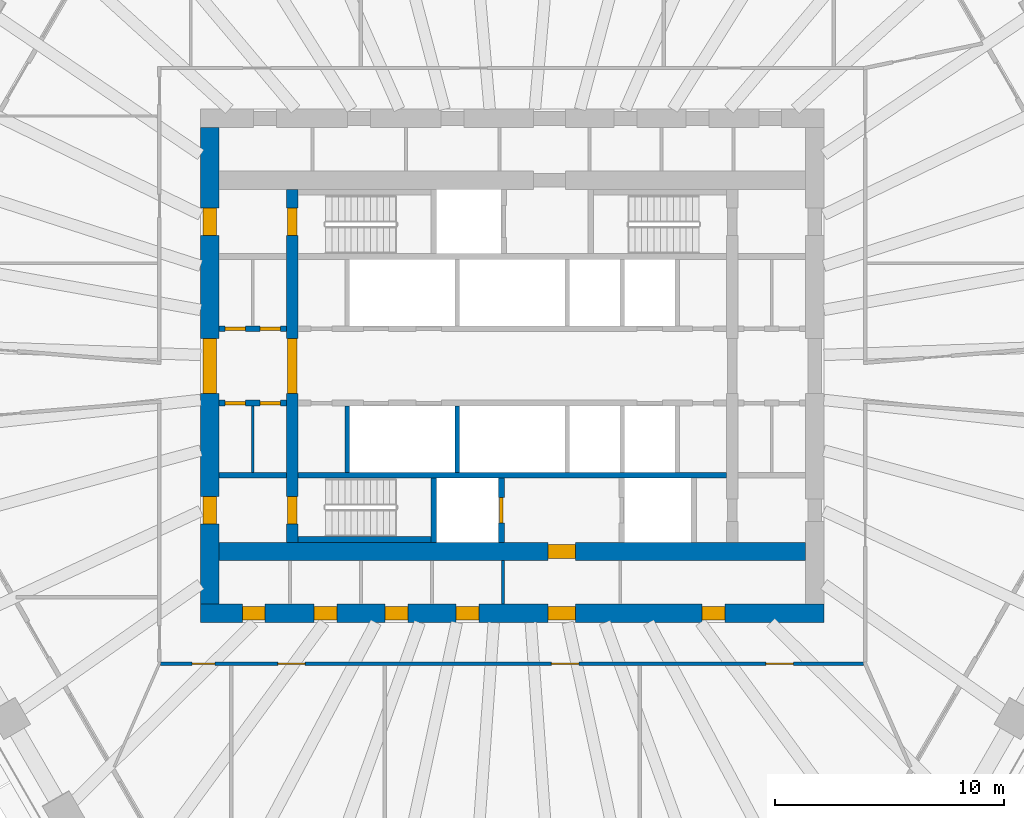
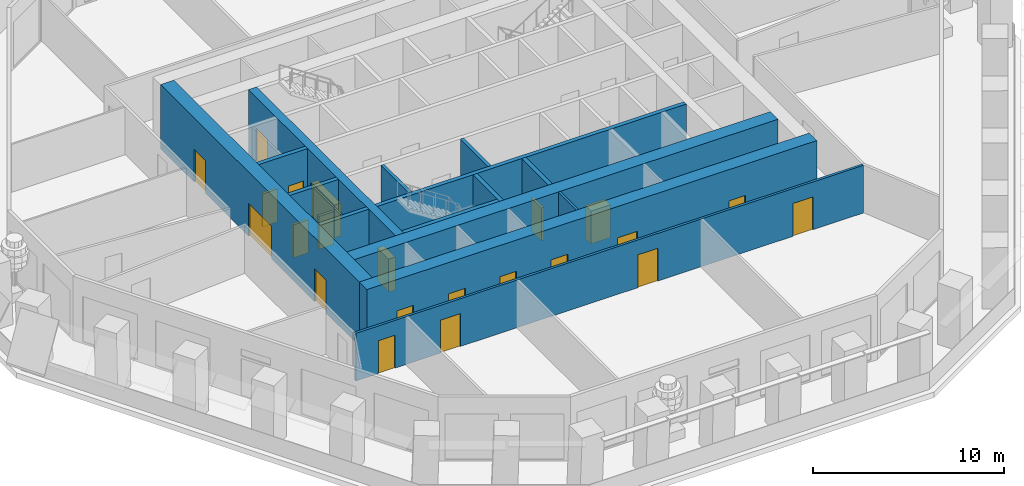
# One storey, part 4 of 13: 22 doors, 16 walls, 22 openings.
"""IFC4 building model written with IfcOpenShell, lengths in metres."""

from ifc_helpers import new_model, si_unit, direction, frame, frame_2d, origin, place, context, subcontext, project, spatial, rectangle, extrude, material, layer, layer_set, type_object, element, fill, save


model = new_model("IFC4")

# Units and contexts
model_context = context("Model", 3, precision=1e-05, world=origin(), true_north=direction((0.0, 1.0)))
body_context = subcontext(model_context, "Body", "Model", "MODEL_VIEW")
ifc_project = project(units=[si_unit("LENGTHUNIT", "METRE"), si_unit("AREAUNIT", "SQUARE_METRE"), si_unit("VOLUMEUNIT", "CUBIC_METRE"), si_unit("PLANEANGLEUNIT", "RADIAN"), si_unit("MASSUNIT", "GRAM", prefix="KILO")], contexts=[model_context])

# Site, building, storey
site_placement = place(None, origin())
site = spatial("IfcSite", under=ifc_project, at=site_placement, CompositionType="ELEMENT")
building_placement = place(site_placement, origin())
building = spatial("IfcBuilding", under=site, at=building_placement, Name="Frailejon Research Tower", CompositionType="ELEMENT")
storey_placement = place(building_placement, frame((0.0, 0.0, 113.199951171875)))
storey = spatial("IfcBuildingStorey", under=building, at=storey_placement, Name="L24", CompositionType="ELEMENT", Elevation=113.199951171875)

# Walls
ifc_material_1 = material(Name="Plasterboard on steel studs", Category="steel")
ifc_layer_1 = layer(ifc_material_1, 0.125)
ifc_layer_set_1 = layer_set([ifc_layer_1], Name="Core partition 125")
wall_type_1 = type_object("IfcWallType", Name="Core partition 125", PredefinedType="PARTITIONING", material=ifc_layer_set_1)
wall_1_placement = place(storey_placement, frame((-0.41259765625, -10.39990234375, 0.0), z_axis=(0.0, 0.0, 1.0), x_axis=(0.0, 1.0, 0.0)))
element("IfcWall", 1, at=wall_1_placement, inside=storey, type_object=wall_type_1, Name="Core partition", PredefinedType="PARTITIONING", context=body_context, shape_type="SweptSolid", body=[
    extrude(rectangle(XDim=1.89990234375, YDim=0.125, at=frame_2d((0.949951171875, 0.0))), origin(), (0.0, 0.0, 1.0), 4.10009765625),
])
wall_2_placement = place(storey_placement, frame((-11.324951171875, -4.64990234375, 0.0), z_axis=(0.0, 0.0, 1.0), x_axis=(0.0, 1.0, 0.0)))
element("IfcWall", 2, at=wall_2_placement, inside=storey, type_object=wall_type_1, Name="Core partition", PredefinedType="PARTITIONING", context=body_context, shape_type="SweptSolid", body=[
    extrude(rectangle(XDim=2.89990234375, YDim=0.125, at=frame_2d((1.449951171875, 0.0))), origin(), (0.0, 0.0, 1.0), 4.10009765625),
])

# Wall, openings, doors
ifc_material_2 = material(Name="Concrete C70/85", Category="concrete")
ifc_layer_2 = layer(ifc_material_2, 0.5)
ifc_layer_set_2 = layer_set([ifc_layer_2], Name="Core shear wall 500 C70/85")
wall_type_2 = type_object("IfcWallType", Name="Core shear wall 500 C70/85", PredefinedType="SHEAR", material=ifc_layer_set_2)
wall_3_placement = place(storey_placement, frame((-9.60009765625, -7.699951171875, 0.0), z_axis=(0.0, 0.0, 1.0), x_axis=(0.0, 1.0, 0.0)))
wall_3 = element("IfcWall", 3, at=wall_3_placement, inside=storey, type_object=wall_type_2, Name="Core shear wall", PredefinedType="SHEAR", context=body_context, shape_type="SweptSolid", body=[
    extrude(rectangle(XDim=15.39990234375, YDim=0.5, at=frame_2d((7.699951171875, 0.0))), origin(), (0.0, 0.0, 1.0), 4.10009765625),
])
opening_1_placement = place(wall_3_placement, frame((6.5, 0.0, 0.0)))
opening_1 = element("IfcOpeningElement", 4, at=opening_1_placement, cuts=wall_3, Name="Opening D2", PredefinedType="OPENING", context=body_context, shape_type="SweptSolid", body=[
    extrude(rectangle(XDim=2.39990234375, YDim=2.10009765625, at=frame_2d((1.199951171875, 1.050048828125))), frame((0.0, 0.260009765625, 0.0), z_axis=(0.0, -1.0, 0.0), x_axis=(1.0, 0.0, 0.0)), (0.0, 0.0, 1.0), 0.52001953125),
])
opening_2_placement = place(wall_3_placement, frame((13.39990234375, 0.0, 0.0)))
opening_2 = element("IfcOpeningElement", 5, at=opening_2_placement, cuts=wall_3, Name="Opening D1", PredefinedType="OPENING", context=body_context, shape_type="SweptSolid", body=[
    extrude(rectangle(XDim=1.199951171875, YDim=2.10009765625, at=frame_2d((0.60009765625, 1.050048828125))), frame((0.0, 0.260009765625, 0.0), z_axis=(0.0, -1.0, 0.0), x_axis=(1.0, 0.0, 0.0)), (0.0, 0.0, 1.0), 0.52001953125),
])
opening_3_placement = place(wall_3_placement, frame((0.800048828125, 0.0, 0.0)))
opening_3 = element("IfcOpeningElement", 6, at=opening_3_placement, cuts=wall_3, Name="Opening D1", PredefinedType="OPENING", context=body_context, shape_type="SweptSolid", body=[
    extrude(rectangle(XDim=1.199951171875, YDim=2.10009765625, at=frame_2d((0.60009765625, 1.050048828125))), frame((0.0, 0.260009765625, 0.0), z_axis=(0.0, -1.0, 0.0), x_axis=(1.0, 0.0, 0.0)), (0.0, 0.0, 1.0), 0.52001953125),
])
ifc_material_3 = material(Name="Steel", Category="steel")
door_type_1 = type_object("IfcDoorType", Name="Lobby double door", OperationType="DOUBLE_DOOR_SINGLE_SWING", PredefinedType="DOOR", material=ifc_material_3)
door_1_placement = place(opening_1_placement, origin())
door_1 = element("IfcDoor", 7, at=door_1_placement, inside=storey, type_object=door_type_1, Name="Lobby door", OperationType="DOUBLE_DOOR_SINGLE_SWING", OverallHeight=2.10009765625, OverallWidth=2.39990234375, PredefinedType="DOOR", context=body_context, shape_type="SweptSolid", body=[
    extrude(rectangle(XDim=2.39990234375, YDim=2.10009765625, at=frame_2d((1.199951171875, 1.050048828125))), frame((0.0, 0.199951171875, 0.0), z_axis=(0.0, -1.0, 0.0), x_axis=(1.0, 0.0, 0.0)), (0.0, 0.0, 1.0), 0.39990234375),
])
fill(opening_1, door_1)
ifc_material_4 = material(Name="Steel", Category="steel")
door_type_2 = type_object("IfcDoorType", Name="Stair door", OperationType="SINGLE_SWING_LEFT", PredefinedType="DOOR", material=ifc_material_4)
door_2_placement = place(opening_2_placement, origin())
door_2 = element("IfcDoor", 8, at=door_2_placement, inside=storey, type_object=door_type_2, Name="Stair door ST1", OperationType="SINGLE_SWING_RIGHT", OverallHeight=2.10009765625, OverallWidth=1.199951171875, PredefinedType="DOOR", context=body_context, shape_type="SweptSolid", body=[
    extrude(rectangle(XDim=1.199951171875, YDim=2.10009765625, at=frame_2d((0.60009765625, 1.050048828125))), frame((0.0, 0.199951171875, 0.0), z_axis=(0.0, -1.0, 0.0), x_axis=(1.0, 0.0, 0.0)), (0.0, 0.0, 1.0), 0.39990234375),
])
fill(opening_2, door_2)
door_3_placement = place(opening_3_placement, origin())
door_3 = element("IfcDoor", 9, at=door_3_placement, inside=storey, type_object=door_type_2, Name="Stair door ST2", OperationType="SINGLE_SWING_RIGHT", OverallHeight=2.10009765625, OverallWidth=1.199951171875, PredefinedType="DOOR", context=body_context, shape_type="SweptSolid", body=[
    extrude(rectangle(XDim=1.199951171875, YDim=2.10009765625, at=frame_2d((0.60009765625, 1.050048828125))), frame((0.0, 0.199951171875, 0.0), z_axis=(0.0, -1.0, 0.0), x_axis=(1.0, 0.0, 0.0)), (0.0, 0.0, 1.0), 0.39990234375),
])
fill(opening_3, door_3)

ifc_material_5 = material(Name="Concrete C70/85", Category="concrete")
ifc_layer_3 = layer(ifc_material_5, 0.800048828125)
ifc_layer_set_3 = layer_set([ifc_layer_3], Name="Core shear wall 800 C70/85")
wall_type_3 = type_object("IfcWallType", Name="Core shear wall 800 C70/85", PredefinedType="SHEAR", material=ifc_layer_set_3)
wall_4_placement = place(storey_placement, frame((-13.60009765625, -10.800048828125, 0.0), z_axis=(0.0, 0.0, 1.0), x_axis=(1.0, 0.0, 0.0)))
wall_4 = element("IfcWall", 10, at=wall_4_placement, inside=storey, type_object=wall_type_3, Name="Core shear wall", PredefinedType="SHEAR", context=body_context, shape_type="SweptSolid", body=[
    extrude(rectangle(XDim=27.2001953125, YDim=0.800048828125, at=frame_2d((13.60009765625, 0.0))), origin(), (0.0, 0.0, 1.0), 4.10009765625),
])
opening_4_placement = place(wall_4_placement, frame((1.817138671875, 0.0, 0.0)))
opening_4 = element("IfcOpeningElement", 11, at=opening_4_placement, cuts=wall_4, Name="Opening D4", PredefinedType="OPENING", context=body_context, shape_type="SweptSolid", body=[
    extrude(rectangle(XDim=1.0, YDim=2.10009765625, at=frame_2d((0.5, 1.050048828125))), frame((0.0, 0.409912109375, 0.0), z_axis=(0.0, -1.0, 0.0), x_axis=(1.0, 0.0, 0.0)), (0.0, 0.0, 1.0), 0.820068359375),
])
opening_5_placement = place(wall_4_placement, frame((4.9453125, 0.0, 0.0)))
opening_5 = element("IfcOpeningElement", 12, at=opening_5_placement, cuts=wall_4, Name="Opening D4", PredefinedType="OPENING", context=body_context, shape_type="SweptSolid", body=[
    extrude(rectangle(XDim=1.0, YDim=2.10009765625, at=frame_2d((0.5, 1.050048828125))), frame((0.0, 0.409912109375, 0.0), z_axis=(0.0, -1.0, 0.0), x_axis=(1.0, 0.0, 0.0)), (0.0, 0.0, 1.0), 0.820068359375),
])
opening_6_placement = place(wall_4_placement, frame((8.042236328125, 0.0, 0.0)))
opening_6 = element("IfcOpeningElement", 13, at=opening_6_placement, cuts=wall_4, Name="Opening D4", PredefinedType="OPENING", context=body_context, shape_type="SweptSolid", body=[
    extrude(rectangle(XDim=1.0, YDim=2.10009765625, at=frame_2d((0.5, 1.050048828125))), frame((0.0, 0.409912109375, 0.0), z_axis=(0.0, -1.0, 0.0), x_axis=(1.0, 0.0, 0.0)), (0.0, 0.0, 1.0), 0.820068359375),
])
opening_7_placement = place(wall_4_placement, frame((11.13916015625, 0.0, 0.0)))
opening_7 = element("IfcOpeningElement", 14, at=opening_7_placement, cuts=wall_4, Name="Opening D4", PredefinedType="OPENING", context=body_context, shape_type="SweptSolid", body=[
    extrude(rectangle(XDim=1.0, YDim=2.10009765625, at=frame_2d((0.5, 1.050048828125))), frame((0.0, 0.409912109375, 0.0), z_axis=(0.0, -1.0, 0.0), x_axis=(1.0, 0.0, 0.0)), (0.0, 0.0, 1.0), 0.820068359375),
])
opening_8_placement = place(wall_4_placement, frame((21.887451171875, 0.0, 0.0)))
opening_8 = element("IfcOpeningElement", 15, at=opening_8_placement, cuts=wall_4, Name="Opening D4", PredefinedType="OPENING", context=body_context, shape_type="SweptSolid", body=[
    extrude(rectangle(XDim=1.0, YDim=2.10009765625, at=frame_2d((0.5, 1.050048828125))), frame((0.0, 0.409912109375, 0.0), z_axis=(0.0, -1.0, 0.0), x_axis=(1.0, 0.0, 0.0)), (0.0, 0.0, 1.0), 0.820068359375),
])
opening_9_placement = place(wall_4_placement, frame((15.14990234375, 0.0, 0.0)))
opening_9 = element("IfcOpeningElement", 16, at=opening_9_placement, cuts=wall_4, Name="Opening D3", PredefinedType="OPENING", context=body_context, shape_type="SweptSolid", body=[
    extrude(rectangle(XDim=1.199951171875, YDim=2.10009765625, at=frame_2d((0.60009765625, 1.050048828125))), frame((0.0, 0.409912109375, 0.0), z_axis=(0.0, -1.0, 0.0), x_axis=(1.0, 0.0, 0.0)), (0.0, 0.0, 1.0), 0.820068359375),
])
ifc_material_6 = material(Name="Steel", Category="steel")
door_type_3 = type_object("IfcDoorType", Name="Firefighting lobby door", OperationType="SINGLE_SWING_LEFT", PredefinedType="DOOR", material=ifc_material_6)
door_4_placement = place(opening_9_placement, origin())
door_4 = element("IfcDoor", 17, at=door_4_placement, inside=storey, type_object=door_type_3, Name="Passage door", OperationType="SINGLE_SWING_RIGHT", OverallHeight=2.10009765625, OverallWidth=1.199951171875, PredefinedType="DOOR", context=body_context, shape_type="SweptSolid", body=[
    extrude(rectangle(XDim=1.199951171875, YDim=2.10009765625, at=frame_2d((0.60009765625, 1.050048828125))), frame((0.0, 0.300048828125, 0.0), z_axis=(0.0, -1.0, 0.0), x_axis=(1.0, 0.0, 0.0)), (0.0, 0.0, 1.0), 0.60009765625),
])
fill(opening_9, door_4)
ifc_material_7 = material(Name="Steel", Category="steel")
door_type_4 = type_object("IfcDoorType", Name="Service door", OperationType="SINGLE_SWING_LEFT", PredefinedType="DOOR", material=ifc_material_7)
door_5_placement = place(opening_4_placement, origin())
door_5 = element("IfcDoor", 18, at=door_5_placement, inside=storey, type_object=door_type_4, Name="Room door", OperationType="SINGLE_SWING_LEFT", OverallHeight=2.10009765625, OverallWidth=1.0, PredefinedType="DOOR", context=body_context, shape_type="SweptSolid", body=[
    extrude(rectangle(XDim=1.0, YDim=2.10009765625, at=frame_2d((0.5, 1.050048828125))), frame((0.0, 0.300048828125, 0.0), z_axis=(0.0, -1.0, 0.0), x_axis=(1.0, 0.0, 0.0)), (0.0, 0.0, 1.0), 0.60009765625),
])
fill(opening_4, door_5)
door_6_placement = place(opening_5_placement, origin())
door_6 = element("IfcDoor", 19, at=door_6_placement, inside=storey, type_object=door_type_4, Name="Room door", OperationType="SINGLE_SWING_RIGHT", OverallHeight=2.10009765625, OverallWidth=1.0, PredefinedType="DOOR", context=body_context, shape_type="SweptSolid", body=[
    extrude(rectangle(XDim=1.0, YDim=2.10009765625, at=frame_2d((0.5, 1.050048828125))), frame((0.0, 0.300048828125, 0.0), z_axis=(0.0, -1.0, 0.0), x_axis=(1.0, 0.0, 0.0)), (0.0, 0.0, 1.0), 0.60009765625),
])
fill(opening_5, door_6)
door_7_placement = place(opening_6_placement, origin())
door_7 = element("IfcDoor", 20, at=door_7_placement, inside=storey, type_object=door_type_4, Name="Room door", OperationType="SINGLE_SWING_LEFT", OverallHeight=2.10009765625, OverallWidth=1.0, PredefinedType="DOOR", context=body_context, shape_type="SweptSolid", body=[
    extrude(rectangle(XDim=1.0, YDim=2.10009765625, at=frame_2d((0.5, 1.050048828125))), frame((0.0, 0.300048828125, 0.0), z_axis=(0.0, -1.0, 0.0), x_axis=(1.0, 0.0, 0.0)), (0.0, 0.0, 1.0), 0.60009765625),
])
fill(opening_6, door_7)
door_8_placement = place(opening_7_placement, origin())
door_8 = element("IfcDoor", 21, at=door_8_placement, inside=storey, type_object=door_type_4, Name="Room door", OperationType="SINGLE_SWING_RIGHT", OverallHeight=2.10009765625, OverallWidth=1.0, PredefinedType="DOOR", context=body_context, shape_type="SweptSolid", body=[
    extrude(rectangle(XDim=1.0, YDim=2.10009765625, at=frame_2d((0.5, 1.050048828125))), frame((0.0, 0.300048828125, 0.0), z_axis=(0.0, -1.0, 0.0), x_axis=(1.0, 0.0, 0.0)), (0.0, 0.0, 1.0), 0.60009765625),
])
fill(opening_7, door_8)
door_9_placement = place(opening_8_placement, origin())
door_9 = element("IfcDoor", 22, at=door_9_placement, inside=storey, type_object=door_type_4, Name="Room door", OperationType="SINGLE_SWING_LEFT", OverallHeight=2.10009765625, OverallWidth=1.0, PredefinedType="DOOR", context=body_context, shape_type="SweptSolid", body=[
    extrude(rectangle(XDim=1.0, YDim=2.10009765625, at=frame_2d((0.5, 1.050048828125))), frame((0.0, 0.300048828125, 0.0), z_axis=(0.0, -1.0, 0.0), x_axis=(1.0, 0.0, 0.0)), (0.0, 0.0, 1.0), 0.60009765625),
])
fill(opening_8, door_9)

wall_5_placement = place(storey_placement, frame((-13.199951171875, -10.39990234375, 0.0), z_axis=(0.0, 0.0, 1.0), x_axis=(0.0, 1.0, 0.0)))
wall_5 = element("IfcWall", 23, at=wall_5_placement, inside=storey, type_object=wall_type_3, Name="Core shear wall", PredefinedType="SHEAR", context=body_context, shape_type="SweptSolid", body=[
    extrude(rectangle(XDim=20.7998046875, YDim=0.800048828125, at=frame_2d((10.39990234375, 0.0))), origin(), (0.0, 0.0, 1.0), 4.10009765625),
])
opening_10_placement = place(wall_5_placement, frame((9.199951171875, 0.0, 0.0)))
opening_10 = element("IfcOpeningElement", 24, at=opening_10_placement, cuts=wall_5, Name="Opening D2", PredefinedType="OPENING", context=body_context, shape_type="SweptSolid", body=[
    extrude(rectangle(XDim=2.39990234375, YDim=2.10009765625, at=frame_2d((1.199951171875, 1.050048828125))), frame((0.0, 0.409912109375, 0.0), z_axis=(0.0, -1.0, 0.0), x_axis=(1.0, 0.0, 0.0)), (0.0, 0.0, 1.0), 0.820068359375),
])
opening_11_placement = place(wall_5_placement, frame((16.10009765625, 0.0, 0.0)))
opening_11 = element("IfcOpeningElement", 25, at=opening_11_placement, cuts=wall_5, Name="Opening D7", PredefinedType="OPENING", context=body_context, shape_type="SweptSolid", body=[
    extrude(rectangle(XDim=1.199951171875, YDim=2.10009765625, at=frame_2d((0.60009765625, 1.050048828125))), frame((0.0, 0.409912109375, 0.0), z_axis=(0.0, -1.0, 0.0), x_axis=(1.0, 0.0, 0.0)), (0.0, 0.0, 1.0), 0.820068359375),
])
opening_12_placement = place(wall_5_placement, frame((3.5, 0.0, 0.0)))
opening_12 = element("IfcOpeningElement", 26, at=opening_12_placement, cuts=wall_5, Name="Opening D7", PredefinedType="OPENING", context=body_context, shape_type="SweptSolid", body=[
    extrude(rectangle(XDim=1.199951171875, YDim=2.10009765625, at=frame_2d((0.60009765625, 1.050048828125))), frame((0.0, 0.409912109375, 0.0), z_axis=(0.0, -1.0, 0.0), x_axis=(1.0, 0.0, 0.0)), (0.0, 0.0, 1.0), 0.820068359375),
])
door_10_placement = place(opening_10_placement, origin())
door_10 = element("IfcDoor", 27, at=door_10_placement, inside=storey, type_object=door_type_1, Name="Lobby door", OperationType="DOUBLE_DOOR_SINGLE_SWING", OverallHeight=2.10009765625, OverallWidth=2.39990234375, PredefinedType="DOOR", context=body_context, shape_type="SweptSolid", body=[
    extrude(rectangle(XDim=2.39990234375, YDim=2.10009765625, at=frame_2d((1.199951171875, 1.050048828125))), frame((0.0, 0.300048828125, 0.0), z_axis=(0.0, -1.0, 0.0), x_axis=(1.0, 0.0, 0.0)), (0.0, 0.0, 1.0), 0.60009765625),
])
fill(opening_10, door_10)
ifc_material_8 = material(Name="Steel", Category="steel")
door_type_5 = type_object("IfcDoorType", Name="Stair exit door", OperationType="SINGLE_SWING_LEFT", PredefinedType="DOOR", material=ifc_material_8)
door_11_placement = place(opening_11_placement, origin())
door_11 = element("IfcDoor", 28, at=door_11_placement, inside=storey, type_object=door_type_5, Name="Stair exit door ST1", OperationType="SINGLE_SWING_LEFT", OverallHeight=2.10009765625, OverallWidth=1.199951171875, PredefinedType="DOOR", context=body_context, shape_type="SweptSolid", body=[
    extrude(rectangle(XDim=1.199951171875, YDim=2.10009765625, at=frame_2d((0.60009765625, 1.050048828125))), frame((0.0, 0.300048828125, 0.0), z_axis=(0.0, -1.0, 0.0), x_axis=(1.0, 0.0, 0.0)), (0.0, 0.0, 1.0), 0.60009765625),
])
fill(opening_11, door_11)
door_12_placement = place(opening_12_placement, origin())
door_12 = element("IfcDoor", 29, at=door_12_placement, inside=storey, type_object=door_type_5, Name="Stair exit door ST2", OperationType="SINGLE_SWING_LEFT", OverallHeight=2.10009765625, OverallWidth=1.199951171875, PredefinedType="DOOR", context=body_context, shape_type="SweptSolid", body=[
    extrude(rectangle(XDim=1.199951171875, YDim=2.10009765625, at=frame_2d((0.60009765625, 1.050048828125))), frame((0.0, 0.300048828125, 0.0), z_axis=(0.0, -1.0, 0.0), x_axis=(1.0, 0.0, 0.0)), (0.0, 0.0, 1.0), 0.60009765625),
])
fill(opening_12, door_12)

# Wall, opening, door
wall_6_placement = place(storey_placement, frame((-12.800048828125, -8.10009765625, 0.0), z_axis=(0.0, 0.0, 1.0), x_axis=(1.0, 0.0, 0.0)))
wall_6 = element("IfcWall", 30, at=wall_6_placement, inside=storey, type_object=wall_type_3, Name="Core shear wall", PredefinedType="SHEAR", context=body_context, shape_type="SweptSolid", body=[
    extrude(rectangle(XDim=25.60009765625, YDim=0.800048828125, at=frame_2d((12.800048828125, 0.0))), origin(), (0.0, 0.0, 1.0), 4.10009765625),
])
opening_13_placement = place(wall_6_placement, frame((14.35009765625, 0.0, 0.0)))
opening_13 = element("IfcOpeningElement", 31, at=opening_13_placement, cuts=wall_6, Name="Opening D3", PredefinedType="OPENING", context=body_context, shape_type="SweptSolid", body=[
    extrude(rectangle(XDim=1.199951171875, YDim=2.10009765625, at=frame_2d((0.60009765625, 1.050048828125))), frame((0.0, 0.409912109375, 0.0), z_axis=(0.0, -1.0, 0.0), x_axis=(1.0, 0.0, 0.0)), (0.0, 0.0, 1.0), 0.820068359375),
])
door_13_placement = place(opening_13_placement, origin())
door_13 = element("IfcDoor", 32, at=door_13_placement, inside=storey, type_object=door_type_3, Name="Firefighting lobby door", OperationType="SINGLE_SWING_RIGHT", OverallHeight=2.10009765625, OverallWidth=1.199951171875, PredefinedType="DOOR", context=body_context, shape_type="SweptSolid", body=[
    extrude(rectangle(XDim=1.199951171875, YDim=2.10009765625, at=frame_2d((0.60009765625, 1.050048828125))), frame((0.0, 0.300048828125, 0.0), z_axis=(0.0, -1.0, 0.0), x_axis=(1.0, 0.0, 0.0)), (0.0, 0.0, 1.0), 0.60009765625),
])
fill(opening_13, door_13)

# Wall, openings, doors
ifc_material_9 = material(Name="Gypsum board and masonry partition", Category="masonry")
ifc_layer_4 = layer(ifc_material_9, 0.14990234375)
ifc_layer_set_4 = layer_set([ifc_layer_4], Name="Corridor wall EI 60, gypsum on steel studs 150")
wall_type_4 = type_object("IfcWallType", Name="Corridor wall EI 60, gypsum on steel studs 150", PredefinedType="PARTITIONING", material=ifc_layer_set_4)
wall_7_placement = place(storey_placement, frame((-15.35009765625, -13.0, 0.0), z_axis=(0.0, 0.0, 1.0), x_axis=(1.0, 0.0, 0.0)))
wall_7 = element("IfcWall", 33, at=wall_7_placement, inside=storey, type_object=wall_type_4, Name="T:IW:L24:006", PredefinedType="PARTITIONING", context=body_context, shape_type="SweptSolid", body=[
    extrude(rectangle(XDim=30.675048828125, YDim=0.14990234375, at=frame_2d((15.33740234375, 0.0))), origin(), (0.0, 0.0, 1.0), 3.050048828125),
])
opening_14_placement = place(wall_7_placement, frame((1.37353515625, 0.0, 0.0)))
opening_14 = element("IfcOpeningElement", 34, at=opening_14_placement, cuts=wall_7, Name="Opening D1610", PredefinedType="OPENING", context=body_context, shape_type="SweptSolid", body=[
    extrude(rectangle(XDim=1.0, YDim=2.10009765625, at=frame_2d((0.5, 1.050048828125))), frame((0.0, 0.0849609375, 0.0), z_axis=(0.0, -1.0, 0.0), x_axis=(1.0, 0.0, 0.0)), (0.0, 0.0, 1.0), 0.169921875),
])
opening_15_placement = place(wall_7_placement, frame((5.114013671875, 0.0, 0.0)))
opening_15 = element("IfcOpeningElement", 35, at=opening_15_placement, cuts=wall_7, Name="Opening D1611", PredefinedType="OPENING", context=body_context, shape_type="SweptSolid", body=[
    extrude(rectangle(XDim=1.199951171875, YDim=2.10009765625, at=frame_2d((0.60009765625, 1.050048828125))), frame((0.0, 0.0849609375, 0.0), z_axis=(0.0, -1.0, 0.0), x_axis=(1.0, 0.0, 0.0)), (0.0, 0.0, 1.0), 0.169921875),
])
opening_16_placement = place(wall_7_placement, frame((17.0556640625, 0.0, 0.0)))
opening_16 = element("IfcOpeningElement", 36, at=opening_16_placement, cuts=wall_7, Name="Opening D1612", PredefinedType="OPENING", context=body_context, shape_type="SweptSolid", body=[
    extrude(rectangle(XDim=1.199951171875, YDim=2.10009765625, at=frame_2d((0.60009765625, 1.050048828125))), frame((0.0, 0.0849609375, 0.0), z_axis=(0.0, -1.0, 0.0), x_axis=(1.0, 0.0, 0.0)), (0.0, 0.0, 1.0), 0.169921875),
])
opening_17_placement = place(wall_7_placement, frame((26.42138671875, 0.0, 0.0)))
opening_17 = element("IfcOpeningElement", 37, at=opening_17_placement, cuts=wall_7, Name="Opening D1613", PredefinedType="OPENING", context=body_context, shape_type="SweptSolid", body=[
    extrude(rectangle(XDim=1.199951171875, YDim=2.10009765625, at=frame_2d((0.60009765625, 1.050048828125))), frame((0.0, 0.0849609375, 0.0), z_axis=(0.0, -1.0, 0.0), x_axis=(1.0, 0.0, 0.0)), (0.0, 0.0, 1.0), 0.169921875),
])
ifc_material_10 = material(Name="Timber door leaf", Category="wood")
door_type_6 = type_object("IfcDoorType", Name="Door laboratory, timber, vision panel 1200", OperationType="NOTDEFINED", PredefinedType="DOOR", material=ifc_material_10)
door_14_placement = place(opening_15_placement, origin())
door_14 = element("IfcDoor", 38, at=door_14_placement, inside=storey, type_object=door_type_6, Name="D1611", OperationType="DOUBLE_DOOR_SINGLE_SWING", OverallHeight=2.10009765625, OverallWidth=1.199951171875, PredefinedType="DOOR", context=body_context, shape_type="SweptSolid", body=[
    extrude(rectangle(XDim=1.199951171875, YDim=2.10009765625, at=frame_2d((0.60009765625, 1.050048828125))), frame((0.0, 0.02490234375, 0.0), z_axis=(0.0, -1.0, 0.0), x_axis=(1.0, 0.0, 0.0)), (0.0, 0.0, 1.0), 0.050048828125),
])
fill(opening_15, door_14)
door_15_placement = place(opening_16_placement, origin())
door_15 = element("IfcDoor", 39, at=door_15_placement, inside=storey, type_object=door_type_6, Name="D1612", OperationType="DOUBLE_DOOR_SINGLE_SWING", OverallHeight=2.10009765625, OverallWidth=1.199951171875, PredefinedType="DOOR", context=body_context, shape_type="SweptSolid", body=[
    extrude(rectangle(XDim=1.199951171875, YDim=2.10009765625, at=frame_2d((0.60009765625, 1.050048828125))), frame((0.0, 0.02490234375, 0.0), z_axis=(0.0, -1.0, 0.0), x_axis=(1.0, 0.0, 0.0)), (0.0, 0.0, 1.0), 0.050048828125),
])
fill(opening_16, door_15)
door_16_placement = place(opening_17_placement, origin())
door_16 = element("IfcDoor", 40, at=door_16_placement, inside=storey, type_object=door_type_6, Name="D1613", OperationType="DOUBLE_DOOR_SINGLE_SWING", OverallHeight=2.10009765625, OverallWidth=1.199951171875, PredefinedType="DOOR", context=body_context, shape_type="SweptSolid", body=[
    extrude(rectangle(XDim=1.199951171875, YDim=2.10009765625, at=frame_2d((0.60009765625, 1.050048828125))), frame((0.0, 0.02490234375, 0.0), z_axis=(0.0, -1.0, 0.0), x_axis=(1.0, 0.0, 0.0)), (0.0, 0.0, 1.0), 0.050048828125),
])
fill(opening_17, door_16)
ifc_material_11 = material(Name="Timber door leaf", Category="wood")
door_type_7 = type_object("IfcDoorType", Name="Door single leaf, timber, steel frame 1000", OperationType="NOTDEFINED", PredefinedType="DOOR", material=ifc_material_11)
door_17_placement = place(opening_14_placement, origin())
door_17 = element("IfcDoor", 41, at=door_17_placement, inside=storey, type_object=door_type_7, Name="D1610", OperationType="SINGLE_SWING_LEFT", OverallHeight=2.10009765625, OverallWidth=1.0, PredefinedType="DOOR", context=body_context, shape_type="SweptSolid", body=[
    extrude(rectangle(XDim=1.0, YDim=2.10009765625, at=frame_2d((0.5, 1.050048828125))), frame((0.0, 0.02490234375, 0.0), z_axis=(0.0, -1.0, 0.0), x_axis=(1.0, 0.0, 0.0)), (0.0, 0.0, 1.0), 0.050048828125),
])
fill(opening_14, door_17)

# Walls
ifc_material_12 = material(Name="Concrete C70/85", Category="concrete")
ifc_layer_5 = layer(ifc_material_12, 0.199951171875)
ifc_layer_set_5 = layer_set([ifc_layer_5], Name="Shaft wall 200 C70/85")
wall_type_5 = type_object("IfcWallType", Name="Shaft wall 200 C70/85", PredefinedType="SOLIDWALL", material=ifc_layer_set_5)
for number, where, z_axis, x_axis, name in (
    (42, (-7.199951171875, -4.64990234375, 0.0), (0.0, 0.0, 1.0), (0.0, 1.0, 0.0), "Shaft wall"),
    (43, (-2.39990234375, -4.64990234375, 0.0), (0.0, 0.0, 1.0), (0.0, 1.0, 0.0), "Shaft wall"),
):
    element("IfcWall", number, at=place(storey_placement, frame(where, z_axis=z_axis, x_axis=x_axis)), inside=storey, type_object=wall_type_5, Name=name, PredefinedType="SOLIDWALL", context=body_context, shape_type="SweptSolid", body=[
        extrude(rectangle(XDim=2.89990234375, YDim=0.199951171875, at=frame_2d((1.449951171875, 0.0))), origin(), (0.0, 0.0, 1.0), 4.10009765625),
    ])

# Wall, openings, doors
ifc_material_13 = material(Name="Concrete C70/85", Category="concrete")
ifc_layer_6 = layer(ifc_material_13, 0.25)
ifc_layer_set_6 = layer_set([ifc_layer_6], Name="Shaft wall 250 C70/85")
wall_type_6 = type_object("IfcWallType", Name="Shaft wall 250 C70/85", PredefinedType="SOLIDWALL", material=ifc_layer_set_6)
wall_8_placement = place(storey_placement, frame((-12.800048828125, 1.625, 0.0), z_axis=(0.0, 0.0, 1.0), x_axis=(1.0, 0.0, 0.0)))
wall_8 = element("IfcWall", 44, at=wall_8_placement, inside=storey, type_object=wall_type_6, Name="Shaft wall", PredefinedType="SOLIDWALL", context=body_context, shape_type="SweptSolid", body=[
    extrude(rectangle(XDim=2.949951171875, YDim=0.25, at=frame_2d((1.47509765625, 0.0))), origin(), (0.0, 0.0, 1.0), 4.10009765625),
])
opening_18_placement = place(wall_8_placement, frame((0.256103515625, 0.0, 0.0)))
opening_18 = element("IfcOpeningElement", 45, at=opening_18_placement, cuts=wall_8, Name="Opening D8", PredefinedType="OPENING", context=body_context, shape_type="SweptSolid", body=[
    extrude(rectangle(XDim=0.89990234375, YDim=2.10009765625, at=frame_2d((0.449951171875, 1.050048828125))), frame((0.0, 0.135009765625, 0.0), z_axis=(0.0, -1.0, 0.0), x_axis=(1.0, 0.0, 0.0)), (0.0, 0.0, 1.0), 0.27001953125),
])
opening_19_placement = place(wall_8_placement, frame((1.793701171875, 0.0, 0.0)))
opening_19 = element("IfcOpeningElement", 46, at=opening_19_placement, cuts=wall_8, Name="Opening D8", PredefinedType="OPENING", context=body_context, shape_type="SweptSolid", body=[
    extrude(rectangle(XDim=0.89990234375, YDim=2.10009765625, at=frame_2d((0.449951171875, 1.050048828125))), frame((0.0, 0.135009765625, 0.0), z_axis=(0.0, -1.0, 0.0), x_axis=(1.0, 0.0, 0.0)), (0.0, 0.0, 1.0), 0.27001953125),
])
ifc_material_14 = material(Name="Steel", Category="steel")
door_type_8 = type_object("IfcDoorType", Name="Core room door", OperationType="SINGLE_SWING_LEFT", PredefinedType="DOOR", material=ifc_material_14)
door_18_placement = place(opening_18_placement, origin())
door_18 = element("IfcDoor", 47, at=door_18_placement, inside=storey, type_object=door_type_8, Name="Room door", OperationType="SINGLE_SWING_LEFT", OverallHeight=2.10009765625, OverallWidth=0.89990234375, PredefinedType="DOOR", context=body_context, shape_type="SweptSolid", body=[
    extrude(rectangle(XDim=0.89990234375, YDim=2.10009765625, at=frame_2d((0.449951171875, 1.050048828125))), frame((0.0, 0.074951171875, 0.0), z_axis=(0.0, -1.0, 0.0), x_axis=(1.0, 0.0, 0.0)), (0.0, 0.0, 1.0), 0.14990234375),
])
fill(opening_18, door_18)
door_19_placement = place(opening_19_placement, origin())
door_19 = element("IfcDoor", 48, at=door_19_placement, inside=storey, type_object=door_type_8, Name="Room door", OperationType="SINGLE_SWING_RIGHT", OverallHeight=2.10009765625, OverallWidth=0.89990234375, PredefinedType="DOOR", context=body_context, shape_type="SweptSolid", body=[
    extrude(rectangle(XDim=0.89990234375, YDim=2.10009765625, at=frame_2d((0.449951171875, 1.050048828125))), frame((0.0, 0.074951171875, 0.0), z_axis=(0.0, -1.0, 0.0), x_axis=(1.0, 0.0, 0.0)), (0.0, 0.0, 1.0), 0.14990234375),
])
fill(opening_19, door_19)

wall_9_placement = place(storey_placement, frame((-12.800048828125, -1.625, 0.0), z_axis=(0.0, 0.0, 1.0), x_axis=(1.0, 0.0, 0.0)))
wall_9 = element("IfcWall", 49, at=wall_9_placement, inside=storey, type_object=wall_type_6, Name="Shaft wall", PredefinedType="SOLIDWALL", context=body_context, shape_type="SweptSolid", body=[
    extrude(rectangle(XDim=2.949951171875, YDim=0.25, at=frame_2d((1.47509765625, 0.0))), origin(), (0.0, 0.0, 1.0), 4.10009765625),
])
opening_20_placement = place(wall_9_placement, frame((0.256103515625, 0.0, 0.0)))
opening_20 = element("IfcOpeningElement", 50, at=opening_20_placement, cuts=wall_9, Name="Opening D8", PredefinedType="OPENING", context=body_context, shape_type="SweptSolid", body=[
    extrude(rectangle(XDim=0.89990234375, YDim=2.10009765625, at=frame_2d((0.449951171875, 1.050048828125))), frame((0.0, 0.135009765625, 0.0), z_axis=(0.0, -1.0, 0.0), x_axis=(1.0, 0.0, 0.0)), (0.0, 0.0, 1.0), 0.27001953125),
])
opening_21_placement = place(wall_9_placement, frame((1.793701171875, 0.0, 0.0)))
opening_21 = element("IfcOpeningElement", 51, at=opening_21_placement, cuts=wall_9, Name="Opening D8", PredefinedType="OPENING", context=body_context, shape_type="SweptSolid", body=[
    extrude(rectangle(XDim=0.89990234375, YDim=2.10009765625, at=frame_2d((0.449951171875, 1.050048828125))), frame((0.0, 0.135009765625, 0.0), z_axis=(0.0, -1.0, 0.0), x_axis=(1.0, 0.0, 0.0)), (0.0, 0.0, 1.0), 0.27001953125),
])
door_20_placement = place(opening_20_placement, origin())
door_20 = element("IfcDoor", 52, at=door_20_placement, inside=storey, type_object=door_type_8, Name="Room door", OperationType="SINGLE_SWING_LEFT", OverallHeight=2.10009765625, OverallWidth=0.89990234375, PredefinedType="DOOR", context=body_context, shape_type="SweptSolid", body=[
    extrude(rectangle(XDim=0.89990234375, YDim=2.10009765625, at=frame_2d((0.449951171875, 1.050048828125))), frame((0.0, 0.074951171875, 0.0), z_axis=(0.0, -1.0, 0.0), x_axis=(1.0, 0.0, 0.0)), (0.0, 0.0, 1.0), 0.14990234375),
])
fill(opening_20, door_20)
door_21_placement = place(opening_21_placement, origin())
door_21 = element("IfcDoor", 53, at=door_21_placement, inside=storey, type_object=door_type_8, Name="Room door", OperationType="SINGLE_SWING_RIGHT", OverallHeight=2.10009765625, OverallWidth=0.89990234375, PredefinedType="DOOR", context=body_context, shape_type="SweptSolid", body=[
    extrude(rectangle(XDim=0.89990234375, YDim=2.10009765625, at=frame_2d((0.449951171875, 1.050048828125))), frame((0.0, 0.074951171875, 0.0), z_axis=(0.0, -1.0, 0.0), x_axis=(1.0, 0.0, 0.0)), (0.0, 0.0, 1.0), 0.14990234375),
])
fill(opening_21, door_21)

# Walls
wall_10_placement = place(storey_placement, frame((-12.800048828125, -4.77490234375, 0.0), z_axis=(0.0, 0.0, 1.0), x_axis=(1.0, 0.0, 0.0)))
element("IfcWall", 54, at=wall_10_placement, inside=storey, type_object=wall_type_6, Name="Shaft wall", PredefinedType="SOLIDWALL", context=body_context, shape_type="SweptSolid", body=[
    extrude(rectangle(XDim=2.949951171875, YDim=0.25, at=frame_2d((1.47509765625, 0.0))), origin(), (0.0, 0.0, 1.0), 4.10009765625),
])
wall_11_placement = place(storey_placement, frame((-9.35009765625, -4.77490234375, 0.0), z_axis=(0.0, 0.0, 1.0), x_axis=(1.0, 0.0, 0.0)))
element("IfcWall", 55, at=wall_11_placement, inside=storey, type_object=wall_type_6, Name="Shaft wall", PredefinedType="SOLIDWALL", context=body_context, shape_type="SweptSolid", body=[
    extrude(rectangle(XDim=18.7001953125, YDim=0.25, at=frame_2d((9.35009765625, 0.0))), origin(), (0.0, 0.0, 1.0), 4.10009765625),
])
wall_12_placement = place(storey_placement, frame((-9.35009765625, -7.574951171875, 0.0), z_axis=(0.0, 0.0, 1.0), x_axis=(1.0, 0.0, 0.0)))
element("IfcWall", 56, at=wall_12_placement, inside=storey, type_object=wall_type_6, Name="Shaft wall", PredefinedType="SOLIDWALL", context=body_context, shape_type="SweptSolid", body=[
    extrude(rectangle(XDim=5.800048828125, YDim=0.25, at=frame_2d((2.89990234375, 0.0))), origin(), (0.0, 0.0, 1.0), 4.10009765625),
])
wall_13_placement = place(storey_placement, frame((-3.425048828125, -7.699951171875, 0.0), z_axis=(0.0, 0.0, 1.0), x_axis=(0.0, 1.0, 0.0)))
element("IfcWall", 57, at=wall_13_placement, inside=storey, type_object=wall_type_6, Name="Shaft wall", PredefinedType="SOLIDWALL", context=body_context, shape_type="SweptSolid", body=[
    extrude(rectangle(XDim=2.800048828125, YDim=0.25, at=frame_2d((1.39990234375, 0.0))), origin(), (0.0, 0.0, 1.0), 4.10009765625),
])

# Wall, opening, door
wall_14_placement = place(storey_placement, frame((-0.47509765625, -7.699951171875, 0.0), z_axis=(0.0, 0.0, 1.0), x_axis=(0.0, 1.0, 0.0)))
wall_14 = element("IfcWall", 58, at=wall_14_placement, inside=storey, type_object=wall_type_6, Name="Shaft wall", PredefinedType="SOLIDWALL", context=body_context, shape_type="SweptSolid", body=[
    extrude(rectangle(XDim=2.800048828125, YDim=0.25, at=frame_2d((1.39990234375, 0.0))), origin(), (0.0, 0.0, 1.0), 4.10009765625),
])
opening_22_placement = place(wall_14_placement, frame((0.85009765625, 0.0, 0.0)))
opening_22 = element("IfcOpeningElement", 59, at=opening_22_placement, cuts=wall_14, Name="Opening LD", PredefinedType="OPENING", context=body_context, shape_type="SweptSolid", body=[
    extrude(rectangle(XDim=1.10009765625, YDim=2.10009765625, at=frame_2d((0.550048828125, 1.050048828125))), frame((0.0, 0.135009765625, 0.0), z_axis=(0.0, -1.0, 0.0), x_axis=(1.0, 0.0, 0.0)), (0.0, 0.0, 1.0), 0.27001953125),
])
ifc_material_15 = material(Name="Steel", Category="steel")
door_type_9 = type_object("IfcDoorType", Name="Lift landing door", OperationType="DOUBLE_DOOR_SLIDING", PredefinedType="DOOR", material=ifc_material_15)
door_22_placement = place(opening_22_placement, origin())
door_22 = element("IfcDoor", 60, at=door_22_placement, inside=storey, type_object=door_type_9, Name="Lift landing door", OperationType="DOUBLE_DOOR_SLIDING", OverallHeight=2.10009765625, OverallWidth=1.10009765625, PredefinedType="DOOR", context=body_context, shape_type="SweptSolid", body=[
    extrude(rectangle(XDim=1.10009765625, YDim=2.10009765625, at=frame_2d((0.550048828125, 1.050048828125))), frame((0.0, 0.074951171875, 0.0), z_axis=(0.0, -1.0, 0.0), x_axis=(1.0, 0.0, 0.0)), (0.0, 0.0, 1.0), 0.14990234375),
])
fill(opening_22, door_22)

save(model, "model.ifc")
